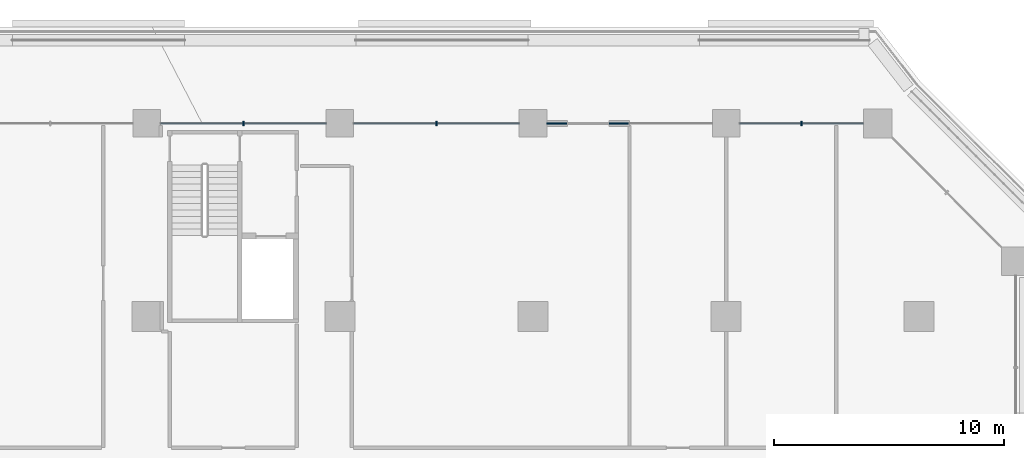
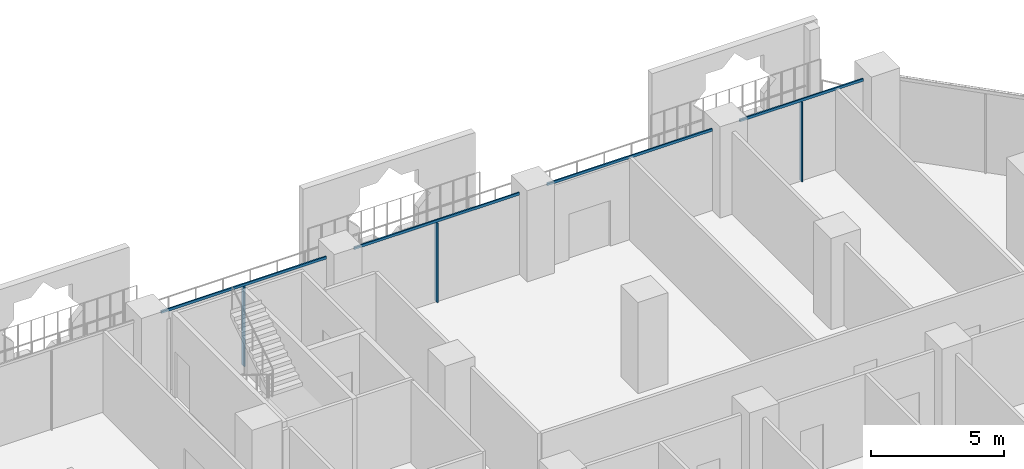
# One storey, part 9 of 28: 7 members, 1 element without a shape of its own.
"""IFC4 building model written with IfcOpenShell, lengths in metres."""

from ifc_helpers import new_model, si_unit, direction, frame, origin, origin_2d, place, context, subcontext, project, spatial, rectangle, extrude, material, layer, layer_set, material_profile, profile_set, type_object, element, aggregate, save


model = new_model("IFC4")

# Units and contexts
model_context = context("Model", 3, precision=1e-05, world=origin(), true_north=direction((0.0, 1.0)))
body_context = subcontext(model_context, "Body", "Model", "MODEL_VIEW")
ifc_project = project(units=[si_unit("LENGTHUNIT", "METRE"), si_unit("AREAUNIT", "SQUARE_METRE"), si_unit("VOLUMEUNIT", "CUBIC_METRE"), si_unit("PLANEANGLEUNIT", "RADIAN"), si_unit("MASSUNIT", "GRAM", prefix="KILO")], contexts=[model_context])

# Site, building, storey
site_placement = place(None, origin())
site = spatial("IfcSite", under=ifc_project, at=site_placement, CompositionType="ELEMENT")
building_placement = place(site_placement, origin())
building = spatial("IfcBuilding", under=site, at=building_placement, Name="Kawkab Arch Medical Tower", CompositionType="ELEMENT")
storey_placement = place(building_placement, frame((0.0, 0.0, 47.60009765625)))
storey = spatial("IfcBuildingStorey", under=building, at=storey_placement, Name="L10", CompositionType="ELEMENT", Elevation=47.60009765625)

# Curtain wall, members
ifc_material_1 = material(Name="Bronze anodised aluminium curtain wall frame", Category="aluminium")
ifc_layer = layer(ifc_material_1, 0.159912109375)
ifc_layer_set = layer_set([ifc_layer], Name="Bronze anodised aluminium curtain wall frame")
curtain_wall_type = type_object("IfcCurtainWallType", Name="CW1 ward curtain wall", PredefinedType="NOTDEFINED", material=ifc_layer_set)
curtain_wall_placement = place(storey_placement, origin())
curtain_wall = element("IfcCurtainWall", 1, at=curtain_wall_placement, inside=storey, type_object=curtain_wall_type, Name="CW1 Ward curtain wall R09", PredefinedType="NOTDEFINED")
ifc_material_2 = material(Name="Bronze anodised aluminium curtain wall frame", Category="aluminium")
ifc_material_profile_1 = material_profile(ifc_material_2, rectangle(XDim=0.179931640625, YDim=0.06005859375, at=origin_2d()), Name="AL 60x180")
ifc_profile_set_1 = profile_set([ifc_material_profile_1], Name="Bronze anodised aluminium curtain wall frame")
member_type_1 = type_object("IfcMemberType", Name="CW1 mullion 60 x 180", PredefinedType="MULLION", material=ifc_profile_set_1)
member_1_placement = place(storey_placement, frame((70.487548828125, 0.0, 0.0), z_axis=(0.0, 0.0, 1.0), x_axis=(0.0, -1.0, 0.0)))
member_1 = element("IfcMember", 2, at=member_1_placement, type_object=member_type_1, Name="CW1 mullion 1.1", PredefinedType="MULLION", context=body_context, shape_type="SweptSolid", body=[
    extrude(rectangle(XDim=0.179931640625, YDim=0.06005859375, at=origin_2d()), origin(), (0.0, 0.0, 1.0), 3.659912109375),
])
member_2_placement = place(storey_placement, frame((54.60009765625, 0.0, 0.0), z_axis=(0.0, 0.0, 1.0), x_axis=(0.0, -1.0, 0.0)))
member_2 = element("IfcMember", 3, at=member_2_placement, type_object=member_type_1, Name="CW1 mullion 3.1", PredefinedType="MULLION", context=body_context, shape_type="SweptSolid", body=[
    extrude(rectangle(XDim=0.179931640625, YDim=0.06005859375, at=origin_2d()), origin(), (0.0, 0.0, 1.0), 3.659912109375),
])
member_3_placement = place(storey_placement, frame((46.199951171875, 0.0, 0.0), z_axis=(0.0, 0.0, 1.0), x_axis=(0.0, -1.0, 0.0)))
member_3 = element("IfcMember", 4, at=member_3_placement, type_object=member_type_1, Name="CW1 mullion 4.1", PredefinedType="MULLION", context=body_context, shape_type="SweptSolid", body=[
    extrude(rectangle(XDim=0.179931640625, YDim=0.06005859375, at=origin_2d()), origin(), (0.0, 0.0, 1.0), 3.659912109375),
])
ifc_material_3 = material(Name="Bronze anodised aluminium curtain wall frame", Category="aluminium")
ifc_material_profile_2 = material_profile(ifc_material_3, rectangle(XDim=0.06005859375, YDim=0.1201171875, at=origin_2d()), Name="AL 60x120")
ifc_profile_set_2 = profile_set([ifc_material_profile_2], Name="Bronze anodised aluminium curtain wall frame")
member_type_2 = type_object("IfcMemberType", Name="CW1 transom 120 x 60", PredefinedType="USERDEFINED", material=ifc_profile_set_2)
member_4_placement = place(storey_placement, frame((73.175048828125, 0.0, 3.719970703125), z_axis=(-1.0, 0.0, 0.0), x_axis=(0.0, -1.0, 0.0)))
member_4 = element("IfcMember", 5, at=member_4_placement, type_object=member_type_2, Name="CW1 transom 1", ObjectType="TRANSOM", PredefinedType="USERDEFINED", context=body_context, shape_type="SweptSolid", body=[
    extrude(rectangle(XDim=0.06005859375, YDim=0.1201171875, at=origin_2d()), origin(), (0.0, 0.0, 1.0), 5.375),
])
member_5_placement = place(storey_placement, frame((66.60009765625, 0.0, 3.719970703125), z_axis=(-1.0, 0.0, 0.0), x_axis=(0.0, -1.0, 0.0)))
member_5 = element("IfcMember", 6, at=member_5_placement, type_object=member_type_2, Name="CW1 transom 2", ObjectType="TRANSOM", PredefinedType="USERDEFINED", context=body_context, shape_type="SweptSolid", body=[
    extrude(rectangle(XDim=0.06005859375, YDim=0.1201171875, at=origin_2d()), origin(), (0.0, 0.0, 1.0), 7.2001953125),
])
member_6_placement = place(storey_placement, frame((58.199951171875, 0.0, 3.719970703125), z_axis=(-1.0, 0.0, 0.0), x_axis=(0.0, -1.0, 0.0)))
member_6 = element("IfcMember", 7, at=member_6_placement, type_object=member_type_2, Name="CW1 transom 3", ObjectType="TRANSOM", PredefinedType="USERDEFINED", context=body_context, shape_type="SweptSolid", body=[
    extrude(rectangle(XDim=0.06005859375, YDim=0.1201171875, at=origin_2d()), origin(), (0.0, 0.0, 1.0), 7.199951171875),
])
member_7_placement = place(storey_placement, frame((49.800048828125, 0.0, 3.719970703125), z_axis=(-1.0, 0.0, 0.0), x_axis=(0.0, -1.0, 0.0)))
member_7 = element("IfcMember", 8, at=member_7_placement, type_object=member_type_2, Name="CW1 transom 4", ObjectType="TRANSOM", PredefinedType="USERDEFINED", context=body_context, shape_type="SweptSolid", body=[
    extrude(rectangle(XDim=0.06005859375, YDim=0.1201171875, at=origin_2d()), origin(), (0.0, 0.0, 1.0), 7.199951171875),
])
aggregate(curtain_wall, [member_4, member_1, member_5, member_6, member_2, member_7, member_3])

save(model, "model.ifc")
